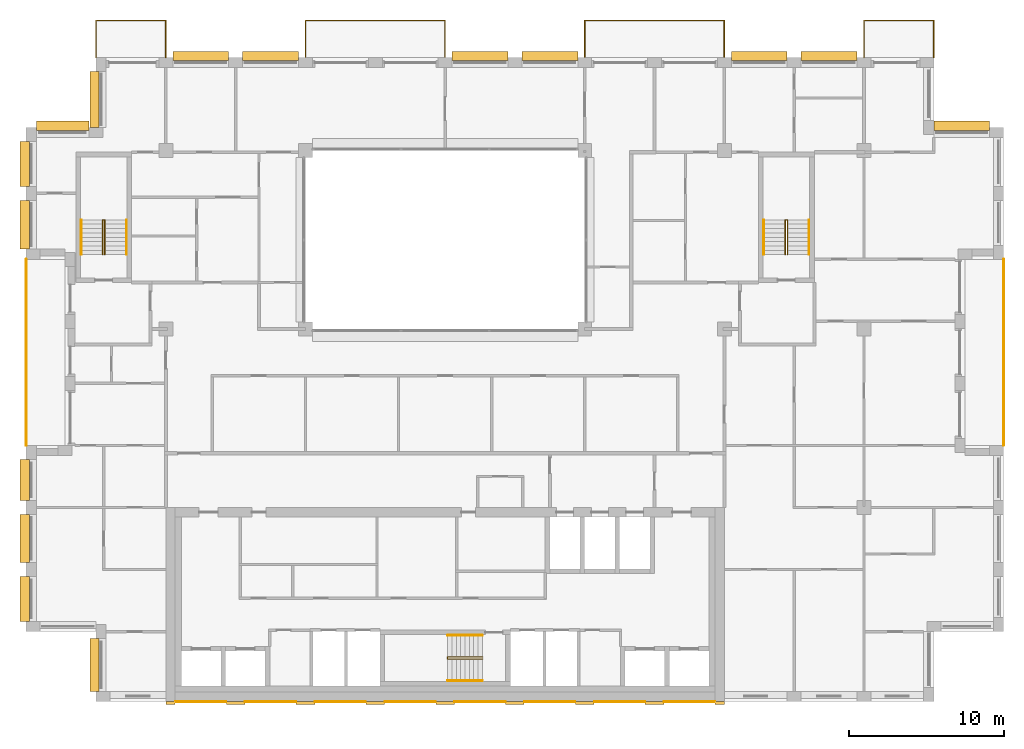
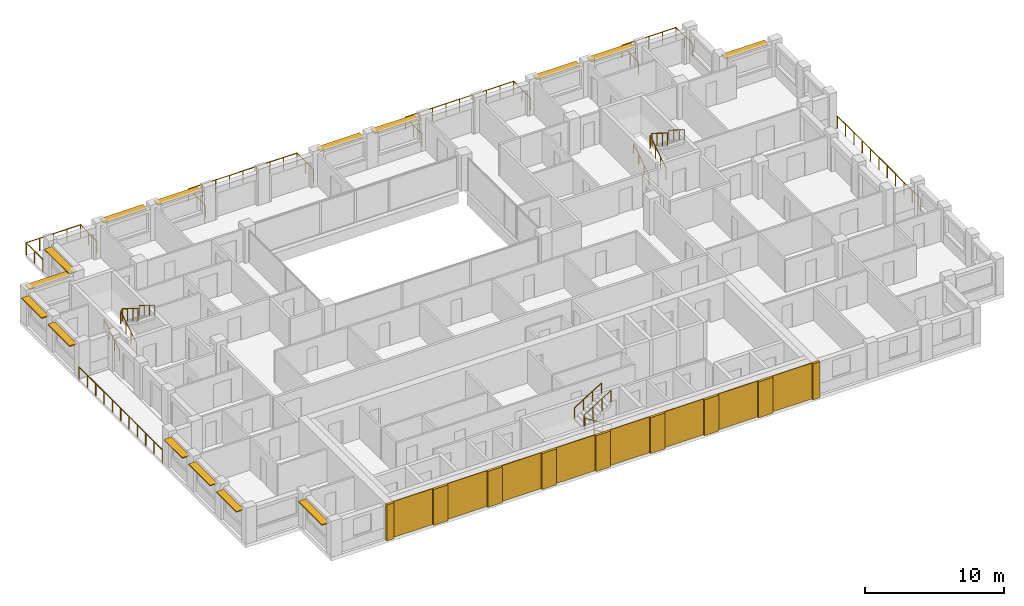
# One storey, part 16 of 16: 17 coverings, 15 railings, 15 shading devices.
"""IFC4 building model written with IfcOpenShell, lengths in metres."""

from ifc_helpers import new_model, si_unit, direction, frame, origin, origin_2d, place, context, subcontext, project, spatial, rectangle, circle, extrude, material, layer, layer_set, type_object, element, save


model = new_model("IFC4")

# Units and contexts
model_context = context("Model", 3, precision=1e-05, world=origin(), true_north=direction((0.0, 1.0)))
body_context = subcontext(model_context, "Body", "Model", "MODEL_VIEW")
ifc_project = project(units=[si_unit("LENGTHUNIT", "METRE"), si_unit("AREAUNIT", "SQUARE_METRE"), si_unit("VOLUMEUNIT", "CUBIC_METRE"), si_unit("PLANEANGLEUNIT", "RADIAN"), si_unit("MASSUNIT", "GRAM", prefix="KILO")], contexts=[model_context])

# Site, building, storey
site_placement = place(None, origin())
site = spatial("IfcSite", under=ifc_project, at=site_placement, CompositionType="ELEMENT")
building_placement = place(site_placement, origin())
building = spatial("IfcBuilding", under=site, at=building_placement, Name="Brigalow Station Residences", CompositionType="ELEMENT")
storey_placement = place(building_placement, frame((0.0, 0.0, 204.300048828125)))
storey = spatial("IfcBuildingStorey", under=building, at=storey_placement, Name="L58", CompositionType="ELEMENT", Elevation=204.300048828125)

# Railings
ifc_material_1 = material(Name="Stainless steel balustrade with laminated glass infill", Category="steel")
railing_type_1 = type_object("IfcRailingType", Name="BALCONY GUARD 1100", PredefinedType="GUARDRAIL", material=ifc_material_1)
railing_1_placement = place(storey_placement, frame((72.0, 16.5, -0.0400390625)))
element("IfcRailing", 1, at=railing_1_placement, inside=storey, type_object=railing_type_1, Name="L58/balcony-guard/1", PredefinedType="GUARDRAIL", context=body_context, shape_type="SweptSolid", body=[
    extrude(circle(Radius=0.02392578125, at=origin_2d()), frame((0.0, 0.0, 1.076171875), z_axis=(0.0, 1.0, 0.0), x_axis=(-1.0, 0.0, 0.0)), (0.0, 0.0, 1.0), 12.0),
    extrude(circle(Radius=0.02099609375, at=origin_2d()), origin(), (0.0, 0.0, 1.0), 1.052001953125),
    extrude(circle(Radius=0.02099609375, at=origin_2d()), frame((0.0, 1.199951171875, 0.0)), (0.0, 0.0, 1.0), 1.052001953125),
    extrude(circle(Radius=0.02099609375, at=origin_2d()), frame((0.0, 2.39990234375, 0.0)), (0.0, 0.0, 1.0), 1.052001953125),
    extrude(circle(Radius=0.02099609375, at=origin_2d()), frame((0.0, 3.60009765625, 0.0)), (0.0, 0.0, 1.0), 1.052001953125),
    extrude(circle(Radius=0.02099609375, at=origin_2d()), frame((0.0, 4.800048828125, 0.0)), (0.0, 0.0, 1.0), 1.052001953125),
    extrude(circle(Radius=0.02099609375, at=origin_2d()), frame((0.0, 6.0, 0.0)), (0.0, 0.0, 1.0), 1.052001953125),
    extrude(circle(Radius=0.02099609375, at=origin_2d()), frame((0.0, 7.199951171875, 0.0)), (0.0, 0.0, 1.0), 1.052001953125),
    extrude(circle(Radius=0.02099609375, at=origin_2d()), frame((0.0, 8.39990234375, 0.0)), (0.0, 0.0, 1.0), 1.052001953125),
    extrude(circle(Radius=0.02099609375, at=origin_2d()), frame((0.0, 9.60009765625, 0.0)), (0.0, 0.0, 1.0), 1.052001953125),
    extrude(circle(Radius=0.02099609375, at=origin_2d()), frame((0.0, 10.800048828125, 0.0)), (0.0, 0.0, 1.0), 1.052001953125),
    extrude(circle(Radius=0.02099609375, at=origin_2d()), frame((0.0, 12.0, 0.0)), (0.0, 0.0, 1.0), 1.052001953125),
])
railing_2_placement = place(storey_placement, frame((67.5, 41.5, -0.0400390625)))
element("IfcRailing", 2, at=railing_2_placement, inside=storey, type_object=railing_type_1, Name="L58/balcony-guard/2", PredefinedType="GUARDRAIL", context=body_context, shape_type="SweptSolid", body=[
    extrude(circle(Radius=0.02392578125, at=origin_2d()), frame((0.0, 0.0, 1.076171875), z_axis=(0.0, 1.0, 0.0), x_axis=(-1.0, 0.0, 0.0)), (0.0, 0.0, 1.0), 2.39990234375),
    extrude(circle(Radius=0.02392578125, at=origin_2d()), frame((0.0, 2.39990234375, 1.076171875), z_axis=(-1.0, 0.0, 0.0), x_axis=(0.0, -1.0, 0.0)), (0.0, 0.0, 1.0), 4.5),
    extrude(circle(Radius=0.02392578125, at=origin_2d()), frame((-4.5, 2.39990234375, 1.076171875), z_axis=(0.0, -1.0, 0.0), x_axis=(1.0, 0.0, 0.0)), (0.0, 0.0, 1.0), 2.39990234375),
    extrude(circle(Radius=0.02099609375, at=origin_2d()), origin(), (0.0, 0.0, 1.0), 1.052001953125),
    extrude(circle(Radius=0.02099609375, at=origin_2d()), frame((0.0, 1.199951171875, 0.0)), (0.0, 0.0, 1.0), 1.052001953125),
    extrude(circle(Radius=0.02099609375, at=origin_2d()), frame((0.0, 2.39990234375, 0.0)), (0.0, 0.0, 1.0), 1.052001953125),
    extrude(circle(Radius=0.02099609375, at=origin_2d()), frame((-1.125, 2.39990234375, 0.0)), (0.0, 0.0, 1.0), 1.052001953125),
    extrude(circle(Radius=0.02099609375, at=origin_2d()), frame((-2.25, 2.39990234375, 0.0)), (0.0, 0.0, 1.0), 1.052001953125),
    extrude(circle(Radius=0.02099609375, at=origin_2d()), frame((-3.375, 2.39990234375, 0.0)), (0.0, 0.0, 1.0), 1.052001953125),
    extrude(circle(Radius=0.02099609375, at=origin_2d()), frame((-4.5, 2.39990234375, 0.0)), (0.0, 0.0, 1.0), 1.052001953125),
    extrude(circle(Radius=0.02099609375, at=origin_2d()), frame((-4.5, 1.199951171875, 0.0)), (0.0, 0.0, 1.0), 1.052001953125),
    extrude(circle(Radius=0.02099609375, at=origin_2d()), frame((-4.5, 0.0, 0.0)), (0.0, 0.0, 1.0), 1.052001953125),
])
railing_3_placement = place(storey_placement, frame((54.0, 41.5, -0.0400390625)))
element("IfcRailing", 3, at=railing_3_placement, inside=storey, type_object=railing_type_1, Name="L58/balcony-guard/3", PredefinedType="GUARDRAIL", context=body_context, shape_type="SweptSolid", body=[
    extrude(circle(Radius=0.02392578125, at=origin_2d()), frame((0.0, 0.0, 1.076171875), z_axis=(0.0, 1.0, 0.0), x_axis=(-1.0, 0.0, 0.0)), (0.0, 0.0, 1.0), 2.39990234375),
    extrude(circle(Radius=0.02392578125, at=origin_2d()), frame((0.0, 2.39990234375, 1.076171875), z_axis=(-1.0, 0.0, 0.0), x_axis=(0.0, -1.0, 0.0)), (0.0, 0.0, 1.0), 9.0),
    extrude(circle(Radius=0.02392578125, at=origin_2d()), frame((-9.0, 2.39990234375, 1.076171875), z_axis=(0.0, -1.0, 0.0), x_axis=(1.0, 0.0, 0.0)), (0.0, 0.0, 1.0), 2.39990234375),
    extrude(circle(Radius=0.02099609375, at=origin_2d()), origin(), (0.0, 0.0, 1.0), 1.052001953125),
    extrude(circle(Radius=0.02099609375, at=origin_2d()), frame((0.0, 1.199951171875, 0.0)), (0.0, 0.0, 1.0), 1.052001953125),
    extrude(circle(Radius=0.02099609375, at=origin_2d()), frame((0.0, 2.39990234375, 0.0)), (0.0, 0.0, 1.0), 1.052001953125),
    extrude(circle(Radius=0.02099609375, at=origin_2d()), frame((-1.125, 2.39990234375, 0.0)), (0.0, 0.0, 1.0), 1.052001953125),
    extrude(circle(Radius=0.02099609375, at=origin_2d()), frame((-2.25, 2.39990234375, 0.0)), (0.0, 0.0, 1.0), 1.052001953125),
    extrude(circle(Radius=0.02099609375, at=origin_2d()), frame((-3.375, 2.39990234375, 0.0)), (0.0, 0.0, 1.0), 1.052001953125),
    extrude(circle(Radius=0.02099609375, at=origin_2d()), frame((-4.5, 2.39990234375, 0.0)), (0.0, 0.0, 1.0), 1.052001953125),
    extrude(circle(Radius=0.02099609375, at=origin_2d()), frame((-5.625, 2.39990234375, 0.0)), (0.0, 0.0, 1.0), 1.052001953125),
    extrude(circle(Radius=0.02099609375, at=origin_2d()), frame((-6.75, 2.39990234375, 0.0)), (0.0, 0.0, 1.0), 1.052001953125),
    extrude(circle(Radius=0.02099609375, at=origin_2d()), frame((-7.875, 2.39990234375, 0.0)), (0.0, 0.0, 1.0), 1.052001953125),
    extrude(circle(Radius=0.02099609375, at=origin_2d()), frame((-9.0, 2.39990234375, 0.0)), (0.0, 0.0, 1.0), 1.052001953125),
    extrude(circle(Radius=0.02099609375, at=origin_2d()), frame((-9.0, 1.199951171875, 0.0)), (0.0, 0.0, 1.0), 1.052001953125),
    extrude(circle(Radius=0.02099609375, at=origin_2d()), frame((-9.0, 0.0, 0.0)), (0.0, 0.0, 1.0), 1.052001953125),
])
railing_4_placement = place(storey_placement, frame((36.0, 41.5, -0.0400390625)))
element("IfcRailing", 4, at=railing_4_placement, inside=storey, type_object=railing_type_1, Name="L58/balcony-guard/4", PredefinedType="GUARDRAIL", context=body_context, shape_type="SweptSolid", body=[
    extrude(circle(Radius=0.02392578125, at=origin_2d()), frame((0.0, 0.0, 1.076171875), z_axis=(0.0, 1.0, 0.0), x_axis=(-1.0, 0.0, 0.0)), (0.0, 0.0, 1.0), 2.39990234375),
    extrude(circle(Radius=0.02392578125, at=origin_2d()), frame((0.0, 2.39990234375, 1.076171875), z_axis=(-1.0, 0.0, 0.0), x_axis=(0.0, -1.0, 0.0)), (0.0, 0.0, 1.0), 9.0),
    extrude(circle(Radius=0.02392578125, at=origin_2d()), frame((-9.0, 2.39990234375, 1.076171875), z_axis=(0.0, -1.0, 0.0), x_axis=(1.0, 0.0, 0.0)), (0.0, 0.0, 1.0), 2.39990234375),
    extrude(circle(Radius=0.02099609375, at=origin_2d()), origin(), (0.0, 0.0, 1.0), 1.052001953125),
    extrude(circle(Radius=0.02099609375, at=origin_2d()), frame((0.0, 1.199951171875, 0.0)), (0.0, 0.0, 1.0), 1.052001953125),
    extrude(circle(Radius=0.02099609375, at=origin_2d()), frame((0.0, 2.39990234375, 0.0)), (0.0, 0.0, 1.0), 1.052001953125),
    extrude(circle(Radius=0.02099609375, at=origin_2d()), frame((-1.125, 2.39990234375, 0.0)), (0.0, 0.0, 1.0), 1.052001953125),
    extrude(circle(Radius=0.02099609375, at=origin_2d()), frame((-2.25, 2.39990234375, 0.0)), (0.0, 0.0, 1.0), 1.052001953125),
    extrude(circle(Radius=0.02099609375, at=origin_2d()), frame((-3.375, 2.39990234375, 0.0)), (0.0, 0.0, 1.0), 1.052001953125),
    extrude(circle(Radius=0.02099609375, at=origin_2d()), frame((-4.5, 2.39990234375, 0.0)), (0.0, 0.0, 1.0), 1.052001953125),
    extrude(circle(Radius=0.02099609375, at=origin_2d()), frame((-5.625, 2.39990234375, 0.0)), (0.0, 0.0, 1.0), 1.052001953125),
    extrude(circle(Radius=0.02099609375, at=origin_2d()), frame((-6.75, 2.39990234375, 0.0)), (0.0, 0.0, 1.0), 1.052001953125),
    extrude(circle(Radius=0.02099609375, at=origin_2d()), frame((-7.875, 2.39990234375, 0.0)), (0.0, 0.0, 1.0), 1.052001953125),
    extrude(circle(Radius=0.02099609375, at=origin_2d()), frame((-9.0, 2.39990234375, 0.0)), (0.0, 0.0, 1.0), 1.052001953125),
    extrude(circle(Radius=0.02099609375, at=origin_2d()), frame((-9.0, 1.199951171875, 0.0)), (0.0, 0.0, 1.0), 1.052001953125),
    extrude(circle(Radius=0.02099609375, at=origin_2d()), frame((-9.0, 0.0, 0.0)), (0.0, 0.0, 1.0), 1.052001953125),
])
railing_5_placement = place(storey_placement, frame((18.0, 41.5, -0.0400390625)))
element("IfcRailing", 5, at=railing_5_placement, inside=storey, type_object=railing_type_1, Name="L58/balcony-guard/5", PredefinedType="GUARDRAIL", context=body_context, shape_type="SweptSolid", body=[
    extrude(circle(Radius=0.02392578125, at=origin_2d()), frame((0.0, 0.0, 1.076171875), z_axis=(0.0, 1.0, 0.0), x_axis=(-1.0, 0.0, 0.0)), (0.0, 0.0, 1.0), 2.39990234375),
    extrude(circle(Radius=0.02392578125, at=origin_2d()), frame((0.0, 2.39990234375, 1.076171875), z_axis=(-1.0, 0.0, 0.0), x_axis=(0.0, -1.0, 0.0)), (0.0, 0.0, 1.0), 4.5),
    extrude(circle(Radius=0.02392578125, at=origin_2d()), frame((-4.5, 2.39990234375, 1.076171875), z_axis=(0.0, -1.0, 0.0), x_axis=(1.0, 0.0, 0.0)), (0.0, 0.0, 1.0), 2.39990234375),
    extrude(circle(Radius=0.02099609375, at=origin_2d()), origin(), (0.0, 0.0, 1.0), 1.052001953125),
    extrude(circle(Radius=0.02099609375, at=origin_2d()), frame((0.0, 1.199951171875, 0.0)), (0.0, 0.0, 1.0), 1.052001953125),
    extrude(circle(Radius=0.02099609375, at=origin_2d()), frame((0.0, 2.39990234375, 0.0)), (0.0, 0.0, 1.0), 1.052001953125),
    extrude(circle(Radius=0.02099609375, at=origin_2d()), frame((-1.125, 2.39990234375, 0.0)), (0.0, 0.0, 1.0), 1.052001953125),
    extrude(circle(Radius=0.02099609375, at=origin_2d()), frame((-2.25, 2.39990234375, 0.0)), (0.0, 0.0, 1.0), 1.052001953125),
    extrude(circle(Radius=0.02099609375, at=origin_2d()), frame((-3.375, 2.39990234375, 0.0)), (0.0, 0.0, 1.0), 1.052001953125),
    extrude(circle(Radius=0.02099609375, at=origin_2d()), frame((-4.5, 2.39990234375, 0.0)), (0.0, 0.0, 1.0), 1.052001953125),
    extrude(circle(Radius=0.02099609375, at=origin_2d()), frame((-4.5, 1.199951171875, 0.0)), (0.0, 0.0, 1.0), 1.052001953125),
    extrude(circle(Radius=0.02099609375, at=origin_2d()), frame((-4.5, 0.0, 0.0)), (0.0, 0.0, 1.0), 1.052001953125),
])
railing_6_placement = place(storey_placement, frame((9.0, 28.5, -0.0400390625)))
element("IfcRailing", 6, at=railing_6_placement, inside=storey, type_object=railing_type_1, Name="L58/balcony-guard/6", PredefinedType="GUARDRAIL", context=body_context, shape_type="SweptSolid", body=[
    extrude(circle(Radius=0.02392578125, at=origin_2d()), frame((0.0, 0.0, 1.076171875), z_axis=(0.0, -1.0, 0.0), x_axis=(1.0, 0.0, 0.0)), (0.0, 0.0, 1.0), 12.0),
    extrude(circle(Radius=0.02099609375, at=origin_2d()), origin(), (0.0, 0.0, 1.0), 1.052001953125),
    extrude(circle(Radius=0.02099609375, at=origin_2d()), frame((0.0, -1.199951171875, 0.0)), (0.0, 0.0, 1.0), 1.052001953125),
    extrude(circle(Radius=0.02099609375, at=origin_2d()), frame((0.0, -2.39990234375, 0.0)), (0.0, 0.0, 1.0), 1.052001953125),
    extrude(circle(Radius=0.02099609375, at=origin_2d()), frame((0.0, -3.60009765625, 0.0)), (0.0, 0.0, 1.0), 1.052001953125),
    extrude(circle(Radius=0.02099609375, at=origin_2d()), frame((0.0, -4.800048828125, 0.0)), (0.0, 0.0, 1.0), 1.052001953125),
    extrude(circle(Radius=0.02099609375, at=origin_2d()), frame((0.0, -6.0, 0.0)), (0.0, 0.0, 1.0), 1.052001953125),
    extrude(circle(Radius=0.02099609375, at=origin_2d()), frame((0.0, -7.199951171875, 0.0)), (0.0, 0.0, 1.0), 1.052001953125),
    extrude(circle(Radius=0.02099609375, at=origin_2d()), frame((0.0, -8.39990234375, 0.0)), (0.0, 0.0, 1.0), 1.052001953125),
    extrude(circle(Radius=0.02099609375, at=origin_2d()), frame((0.0, -9.60009765625, 0.0)), (0.0, 0.0, 1.0), 1.052001953125),
    extrude(circle(Radius=0.02099609375, at=origin_2d()), frame((0.0, -10.800048828125, 0.0)), (0.0, 0.0, 1.0), 1.052001953125),
    extrude(circle(Radius=0.02099609375, at=origin_2d()), frame((0.0, -12.0, 0.0)), (0.0, 0.0, 1.0), 1.052001953125),
])

# Coverings
ifc_material_2 = material(Name="Clay brick masonry", Category="masonry")
ifc_layer_1 = layer(ifc_material_2, 0.06005859375)
ifc_layer_set_1 = layer_set([ifc_layer_1], Name="BRICK PANEL FACING 60")
covering_type_1 = type_object("IfcCoveringType", Name="BRICK PANEL FACING 60", PredefinedType="CLADDING", material=ifc_layer_set_1)
for number, where, z_axis, x_axis, name in (
    (7, (20.25, -0.030029296875, 0.0), (0.0, 0.0, 1.0), (1.0, 0.0, 0.0), "L58/rear-facing/panel-1"),
    (8, (24.75, -0.030029296875, 0.0), (0.0, 0.0, 1.0), (1.0, 0.0, 0.0), "L58/rear-facing/panel-2"),
    (9, (29.25, -0.030029296875, 0.0), (0.0, 0.0, 1.0), (1.0, 0.0, 0.0), "L58/rear-facing/panel-3"),
    (10, (33.75, -0.030029296875, 0.0), (0.0, 0.0, 1.0), (1.0, 0.0, 0.0), "L58/rear-facing/panel-4"),
    (11, (38.25, -0.030029296875, 0.0), (0.0, 0.0, 1.0), (1.0, 0.0, 0.0), "L58/rear-facing/panel-5"),
    (12, (42.75, -0.030029296875, 0.0), (0.0, 0.0, 1.0), (1.0, 0.0, 0.0), "L58/rear-facing/panel-6"),
    (13, (47.25, -0.030029296875, 0.0), (0.0, 0.0, 1.0), (1.0, 0.0, 0.0), "L58/rear-facing/panel-7"),
    (14, (51.75, -0.030029296875, 0.0), (0.0, 0.0, 1.0), (1.0, 0.0, 0.0), "L58/rear-facing/panel-8"),
):
    element("IfcCovering", number, at=place(storey_placement, frame(where, z_axis=z_axis, x_axis=x_axis)), inside=storey, type_object=covering_type_1, Name=name, PredefinedType="CLADDING", context=body_context, shape_type="SweptSolid", body=[
        extrude(rectangle(XDim=3.300048828125, YDim=0.06005859375, at=origin_2d()), origin(), (0.0, 0.0, 1.0), 3.14990234375),
    ])
ifc_material_3 = material(Name="Clay brick masonry", Category="masonry")
ifc_layer_2 = layer(ifc_material_3, 0.199951171875)
ifc_layer_set_2 = layer_set([ifc_layer_2], Name="BRICK PIER FACING 200")
covering_type_2 = type_object("IfcCoveringType", Name="BRICK PIER FACING 200", PredefinedType="CLADDING", material=ifc_layer_set_2)
covering_1_placement = place(storey_placement, frame((18.300048828125, -0.10009765625, 0.0), z_axis=(0.0, 0.0, 1.0), x_axis=(1.0, 0.0, 0.0)))
element("IfcCovering", 15, at=covering_1_placement, inside=storey, type_object=covering_type_2, Name="L58/rear-facing/pier-1", PredefinedType="CLADDING", context=body_context, shape_type="SweptSolid", body=[
    extrude(rectangle(XDim=0.60009765625, YDim=0.199951171875, at=origin_2d()), origin(), (0.0, 0.0, 1.0), 3.14990234375),
])
for number, where, z_axis, x_axis, name in (
    (16, (22.5, -0.10009765625, 0.0), (0.0, 0.0, 1.0), (1.0, 0.0, 0.0), "L58/rear-facing/pier-2"),
    (17, (27.0, -0.10009765625, 0.0), (0.0, 0.0, 1.0), (1.0, 0.0, 0.0), "L58/rear-facing/pier-3"),
    (18, (31.5, -0.10009765625, 0.0), (0.0, 0.0, 1.0), (1.0, 0.0, 0.0), "L58/rear-facing/pier-4"),
    (19, (36.0, -0.10009765625, 0.0), (0.0, 0.0, 1.0), (1.0, 0.0, 0.0), "L58/rear-facing/pier-5"),
    (20, (40.5, -0.10009765625, 0.0), (0.0, 0.0, 1.0), (1.0, 0.0, 0.0), "L58/rear-facing/pier-6"),
    (21, (45.0, -0.10009765625, 0.0), (0.0, 0.0, 1.0), (1.0, 0.0, 0.0), "L58/rear-facing/pier-7"),
    (22, (49.5, -0.10009765625, 0.0), (0.0, 0.0, 1.0), (1.0, 0.0, 0.0), "L58/rear-facing/pier-8"),
):
    element("IfcCovering", number, at=place(storey_placement, frame(where, z_axis=z_axis, x_axis=x_axis)), inside=storey, type_object=covering_type_2, Name=name, PredefinedType="CLADDING", context=body_context, shape_type="SweptSolid", body=[
        extrude(rectangle(XDim=1.199951171875, YDim=0.199951171875, at=origin_2d()), origin(), (0.0, 0.0, 1.0), 3.14990234375),
    ])
covering_2_placement = place(storey_placement, frame((53.699951171875, -0.10009765625, 0.0), z_axis=(0.0, 0.0, 1.0), x_axis=(1.0, 0.0, 0.0)))
element("IfcCovering", 23, at=covering_2_placement, inside=storey, type_object=covering_type_2, Name="L58/rear-facing/pier-9", PredefinedType="CLADDING", context=body_context, shape_type="SweptSolid", body=[
    extrude(rectangle(XDim=0.60009765625, YDim=0.199951171875, at=origin_2d()), origin(), (0.0, 0.0, 1.0), 3.14990234375),
])

# Railings
ifc_material_4 = material(Name="Stainless steel balustrade", Category="steel")
railing_type_2 = type_object("IfcRailingType", Name="STAIR GUARD 1100", PredefinedType="GUARDRAIL", material=ifc_material_4)
railing_7_placement = place(storey_placement, frame((38.39990234375, 2.72998046875, 0.175048828125)))
element("IfcRailing", 24, at=railing_7_placement, inside=storey, type_object=railing_type_2, Name="GUARD GR-2", PredefinedType="GUARDRAIL", context=body_context, shape_type="SweptSolid", body=[
    extrude(circle(Radius=0.02392578125, at=origin_2d()), frame((0.0, 0.0, 1.076171875), z_axis=(-0.848013881152, 0.0, 0.529974015752), x_axis=(0.0, -1.0, 0.0)), (0.0, 0.0, 1.0), 2.641357421875),
    extrude(circle(Radius=0.02392578125, at=origin_2d()), frame((-2.239990234375, 0.0, 2.47607421875), z_axis=(0.0, 0.624960567888, 0.780656319122), x_axis=(-1.0, 0.0, 0.0)), (0.0, 0.0, 1.0), 0.22412109375),
    extrude(circle(Radius=0.02392578125, at=origin_2d()), frame((-2.239990234375, 0.14013671875, 2.65087890625), z_axis=(0.848013881152, 0.0, 0.529974015752), x_axis=(0.0, 1.0, 0.0)), (0.0, 0.0, 1.0), 2.641357421875),
    extrude(circle(Radius=0.02099609375, at=origin_2d()), origin(), (0.0, 0.0, 1.0), 1.052001953125),
    extrude(circle(Radius=0.02099609375, at=origin_2d()), frame((-0.74658203125, 0.0, 0.466552734375)), (0.0, 0.0, 1.0), 1.052001953125),
    extrude(circle(Radius=0.02099609375, at=origin_2d()), frame((-1.493408203125, 0.0, 0.933349609375)), (0.0, 0.0, 1.0), 1.052001953125),
    extrude(circle(Radius=0.02099609375, at=origin_2d()), frame((-2.239990234375, 0.0, 1.39990234375)), (0.0, 0.0, 1.0), 1.052001953125),
    extrude(circle(Radius=0.02099609375, at=origin_2d()), frame((-2.239990234375, 0.14013671875, 1.574951171875)), (0.0, 0.0, 1.0), 1.052001953125),
    extrude(circle(Radius=0.02099609375, at=origin_2d()), frame((-1.493408203125, 0.14013671875, 2.04150390625)), (0.0, 0.0, 1.0), 1.052001953125),
    extrude(circle(Radius=0.02099609375, at=origin_2d()), frame((-0.74658203125, 0.14013671875, 2.50830078125)), (0.0, 0.0, 1.0), 1.052001953125),
    extrude(circle(Radius=0.02099609375, at=origin_2d()), frame((0.0, 0.14013671875, 2.974853515625)), (0.0, 0.0, 1.0), 1.052001953125),
])
for number, where, name in (
    (25, (13.929931640625, 28.800048828125, 0.175048828125), "GUARD GR-1"),
    (26, (57.929931640625, 28.800048828125, 0.175048828125), "GUARD GR-3"),
):
    element("IfcRailing", number, at=place(storey_placement, frame(where)), inside=storey, type_object=railing_type_2, Name=name, PredefinedType="GUARDRAIL", context=body_context, shape_type="SweptSolid", body=[
        extrude(circle(Radius=0.02392578125, at=origin_2d()), frame((0.0, 0.0, 1.076171875), z_axis=(0.0, 0.848013881152, 0.529974015752), x_axis=(-1.0, 0.0, 0.0)), (0.0, 0.0, 1.0), 2.641357421875),
        extrude(circle(Radius=0.02392578125, at=origin_2d()), frame((0.0, 2.239990234375, 2.47607421875), z_axis=(0.624960567888, 0.0, 0.780656319122), x_axis=(0.0, 1.0, 0.0)), (0.0, 0.0, 1.0), 0.22412109375),
        extrude(circle(Radius=0.02392578125, at=origin_2d()), frame((0.14013671875, 2.239990234375, 2.65087890625), z_axis=(0.0, -0.848013881152, 0.529974015752), x_axis=(1.0, 0.0, 0.0)), (0.0, 0.0, 1.0), 2.641357421875),
        extrude(circle(Radius=0.02099609375, at=origin_2d()), origin(), (0.0, 0.0, 1.0), 1.052001953125),
        extrude(circle(Radius=0.02099609375, at=origin_2d()), frame((0.0, 0.74658203125, 0.466552734375)), (0.0, 0.0, 1.0), 1.052001953125),
        extrude(circle(Radius=0.02099609375, at=origin_2d()), frame((0.0, 1.493408203125, 0.933349609375)), (0.0, 0.0, 1.0), 1.052001953125),
        extrude(circle(Radius=0.02099609375, at=origin_2d()), frame((0.0, 2.239990234375, 1.39990234375)), (0.0, 0.0, 1.0), 1.052001953125),
        extrude(circle(Radius=0.02099609375, at=origin_2d()), frame((0.14013671875, 2.239990234375, 1.574951171875)), (0.0, 0.0, 1.0), 1.052001953125),
        extrude(circle(Radius=0.02099609375, at=origin_2d()), frame((0.14013671875, 1.493408203125, 2.04150390625)), (0.0, 0.0, 1.0), 1.052001953125),
        extrude(circle(Radius=0.02099609375, at=origin_2d()), frame((0.14013671875, 0.74658203125, 2.50830078125)), (0.0, 0.0, 1.0), 1.052001953125),
        extrude(circle(Radius=0.02099609375, at=origin_2d()), frame((0.14013671875, 0.0, 2.974853515625)), (0.0, 0.0, 1.0), 1.052001953125),
    ])
ifc_material_5 = material(Name="Stainless steel handrail", Category="steel")
railing_type_3 = type_object("IfcRailingType", Name="STAIR HANDRAIL 900", PredefinedType="HANDRAIL", material=ifc_material_5)
railing_8_placement = place(storey_placement, frame((38.39990234375, 1.340087890625, 0.175048828125)))
element("IfcRailing", 27, at=railing_8_placement, inside=storey, type_object=railing_type_3, Name="HANDRAIL HR-21", PredefinedType="HANDRAIL", context=body_context, shape_type="SweptSolid", body=[
    extrude(circle(Radius=0.02392578125, at=origin_2d()), frame((0.0, 0.0, 0.8759765625), z_axis=(-0.848013881152, 0.0, 0.529974015752), x_axis=(0.0, -1.0, 0.0)), (0.0, 0.0, 1.0), 2.641357421875),
    extrude(circle(Radius=0.02099609375, at=origin_2d()), origin(), (0.0, 0.0, 1.0), 0.851806640625),
    extrude(circle(Radius=0.02099609375, at=origin_2d()), frame((-0.74658203125, 0.0, 0.466552734375)), (0.0, 0.0, 1.0), 0.851806640625),
    extrude(circle(Radius=0.02099609375, at=origin_2d()), frame((-1.493408203125, 0.0, 0.933349609375)), (0.0, 0.0, 1.0), 0.851806640625),
    extrude(circle(Radius=0.02099609375, at=origin_2d()), frame((-2.239990234375, 0.0, 1.39990234375)), (0.0, 0.0, 1.0), 0.851806640625),
])
railing_9_placement = place(storey_placement, frame((36.159912109375, 4.260009765625, 1.75)))
element("IfcRailing", 28, at=railing_9_placement, inside=storey, type_object=railing_type_3, Name="HANDRAIL HR-22", PredefinedType="HANDRAIL", context=body_context, shape_type="SweptSolid", body=[
    extrude(circle(Radius=0.02392578125, at=origin_2d()), frame((0.0, 0.0, 0.8759765625), z_axis=(0.848013881152, 0.0, 0.529974015752), x_axis=(0.0, 1.0, 0.0)), (0.0, 0.0, 1.0), 2.641357421875),
    extrude(circle(Radius=0.02099609375, at=origin_2d()), origin(), (0.0, 0.0, 1.0), 0.851806640625),
    extrude(circle(Radius=0.02099609375, at=origin_2d()), frame((0.74658203125, 0.0, 0.466552734375)), (0.0, 0.0, 1.0), 0.851806640625),
    extrude(circle(Radius=0.02099609375, at=origin_2d()), frame((1.493408203125, 0.0, 0.933349609375)), (0.0, 0.0, 1.0), 0.851806640625),
    extrude(circle(Radius=0.02099609375, at=origin_2d()), frame((2.239990234375, 0.0, 1.39990234375)), (0.0, 0.0, 1.0), 0.851806640625),
])
railing_10_placement = place(storey_placement, frame((12.5400390625, 28.800048828125, 0.175048828125)))
element("IfcRailing", 29, at=railing_10_placement, inside=storey, type_object=railing_type_3, Name="HANDRAIL HR-11", PredefinedType="HANDRAIL", context=body_context, shape_type="SweptSolid", body=[
    extrude(circle(Radius=0.02392578125, at=origin_2d()), frame((0.0, 0.0, 0.8759765625), z_axis=(0.0, 0.848013881152, 0.529974015752), x_axis=(-1.0, 0.0, 0.0)), (0.0, 0.0, 1.0), 2.641357421875),
    extrude(circle(Radius=0.02099609375, at=origin_2d()), origin(), (0.0, 0.0, 1.0), 0.851806640625),
    extrude(circle(Radius=0.02099609375, at=origin_2d()), frame((0.0, 0.74658203125, 0.466552734375)), (0.0, 0.0, 1.0), 0.851806640625),
    extrude(circle(Radius=0.02099609375, at=origin_2d()), frame((0.0, 1.493408203125, 0.933349609375)), (0.0, 0.0, 1.0), 0.851806640625),
    extrude(circle(Radius=0.02099609375, at=origin_2d()), frame((0.0, 2.239990234375, 1.39990234375)), (0.0, 0.0, 1.0), 0.851806640625),
])
railing_11_placement = place(storey_placement, frame((15.4599609375, 31.0400390625, 1.75)))
element("IfcRailing", 30, at=railing_11_placement, inside=storey, type_object=railing_type_3, Name="HANDRAIL HR-12", PredefinedType="HANDRAIL", context=body_context, shape_type="SweptSolid", body=[
    extrude(circle(Radius=0.02392578125, at=origin_2d()), frame((0.0, 0.0, 0.8759765625), z_axis=(0.0, -0.848013881152, 0.529974015752), x_axis=(1.0, 0.0, 0.0)), (0.0, 0.0, 1.0), 2.641357421875),
    extrude(circle(Radius=0.02099609375, at=origin_2d()), origin(), (0.0, 0.0, 1.0), 0.851806640625),
    extrude(circle(Radius=0.02099609375, at=origin_2d()), frame((0.0, -0.74658203125, 0.466552734375)), (0.0, 0.0, 1.0), 0.851806640625),
    extrude(circle(Radius=0.02099609375, at=origin_2d()), frame((0.0, -1.493408203125, 0.933349609375)), (0.0, 0.0, 1.0), 0.851806640625),
    extrude(circle(Radius=0.02099609375, at=origin_2d()), frame((0.0, -2.239990234375, 1.39990234375)), (0.0, 0.0, 1.0), 0.851806640625),
])
railing_12_placement = place(storey_placement, frame((56.5400390625, 28.800048828125, 0.175048828125)))
element("IfcRailing", 31, at=railing_12_placement, inside=storey, type_object=railing_type_3, Name="HANDRAIL HR-31", PredefinedType="HANDRAIL", context=body_context, shape_type="SweptSolid", body=[
    extrude(circle(Radius=0.02392578125, at=origin_2d()), frame((0.0, 0.0, 0.8759765625), z_axis=(0.0, 0.848013881152, 0.529974015752), x_axis=(-1.0, 0.0, 0.0)), (0.0, 0.0, 1.0), 2.641357421875),
    extrude(circle(Radius=0.02099609375, at=origin_2d()), origin(), (0.0, 0.0, 1.0), 0.851806640625),
    extrude(circle(Radius=0.02099609375, at=origin_2d()), frame((0.0, 0.74658203125, 0.466552734375)), (0.0, 0.0, 1.0), 0.851806640625),
    extrude(circle(Radius=0.02099609375, at=origin_2d()), frame((0.0, 1.493408203125, 0.933349609375)), (0.0, 0.0, 1.0), 0.851806640625),
    extrude(circle(Radius=0.02099609375, at=origin_2d()), frame((0.0, 2.239990234375, 1.39990234375)), (0.0, 0.0, 1.0), 0.851806640625),
])
railing_13_placement = place(storey_placement, frame((59.4599609375, 31.0400390625, 1.75)))
element("IfcRailing", 32, at=railing_13_placement, inside=storey, type_object=railing_type_3, Name="HANDRAIL HR-32", PredefinedType="HANDRAIL", context=body_context, shape_type="SweptSolid", body=[
    extrude(circle(Radius=0.02392578125, at=origin_2d()), frame((0.0, 0.0, 0.8759765625), z_axis=(0.0, -0.848013881152, 0.529974015752), x_axis=(1.0, 0.0, 0.0)), (0.0, 0.0, 1.0), 2.641357421875),
    extrude(circle(Radius=0.02099609375, at=origin_2d()), origin(), (0.0, 0.0, 1.0), 0.851806640625),
    extrude(circle(Radius=0.02099609375, at=origin_2d()), frame((0.0, -0.74658203125, 0.466552734375)), (0.0, 0.0, 1.0), 0.851806640625),
    extrude(circle(Radius=0.02099609375, at=origin_2d()), frame((0.0, -1.493408203125, 0.933349609375)), (0.0, 0.0, 1.0), 0.851806640625),
    extrude(circle(Radius=0.02099609375, at=origin_2d()), frame((0.0, -2.239990234375, 1.39990234375)), (0.0, 0.0, 1.0), 0.851806640625),
])

# Shading devices
ifc_material_6 = material(Name="Powder-coated extruded aluminium blade", Category="aluminium")
ifc_layer_3 = layer(ifc_material_6, 0.080078125)
ifc_layer_set_3 = layer_set([ifc_layer_3], Name="SUNSHADE BLADE 600x80")
shading_device_type = type_object("IfcShadingDeviceType", Name="SUNSHADE BLADE 600x80", PredefinedType="JALOUSIE", material=ifc_layer_set_3)
for number, where, z_axis, x_axis, name in (
    (33, (69.300048828125, 37.10009765625, 2.5498046875), (0.0, 0.0, 1.0), (-1.0, 0.0, 0.0), "L58/blade/W-L58-18"),
    (34, (60.75, 41.60009765625, 2.5498046875), (0.0, 0.0, 1.0), (-1.0, 0.0, 0.0), "L58/blade/W-L58-21"),
    (35, (56.25, 41.60009765625, 2.5498046875), (0.0, 0.0, 1.0), (-1.0, 0.0, 0.0), "L58/blade/W-L58-22"),
    (36, (42.75, 41.60009765625, 2.5498046875), (0.0, 0.0, 1.0), (-1.0, 0.0, 0.0), "L58/blade/W-L58-25"),
    (37, (38.25, 41.60009765625, 2.5498046875), (0.0, 0.0, 1.0), (-1.0, 0.0, 0.0), "L58/blade/W-L58-26"),
    (38, (24.75, 41.60009765625, 2.5498046875), (0.0, 0.0, 1.0), (-1.0, 0.0, 0.0), "L58/blade/W-L58-29"),
    (39, (20.25, 41.60009765625, 2.5498046875), (0.0, 0.0, 1.0), (-1.0, 0.0, 0.0), "L58/blade/W-L58-30"),
    (40, (13.39990234375, 38.800048828125, 2.5498046875), (0.0, 0.0, 1.0), (0.0, -1.0, 0.0), "L58/blade/W-L58-32"),
):
    element("IfcShadingDevice", number, at=place(storey_placement, frame(where, z_axis=z_axis, x_axis=x_axis)), inside=storey, type_object=shading_device_type, Name=name, PredefinedType="JALOUSIE", context=body_context, shape_type="SweptSolid", body=[
        extrude(rectangle(XDim=3.60009765625, YDim=0.60009765625, at=origin_2d()), origin(), (0.0, 0.0, 1.0), 0.080078125),
    ])
shading_device_1_placement = place(storey_placement, frame((11.35009765625, 37.10009765625, 2.5498046875), z_axis=(0.0, 0.0, 1.0), x_axis=(-1.0, 0.0, 0.0)))
element("IfcShadingDevice", 41, at=shading_device_1_placement, inside=storey, type_object=shading_device_type, Name="L58/blade/W-L58-33", PredefinedType="JALOUSIE", context=body_context, shape_type="SweptSolid", body=[
    extrude(rectangle(XDim=3.39990234375, YDim=0.60009765625, at=origin_2d()), origin(), (0.0, 0.0, 1.0), 0.080078125),
])
shading_device_2_placement = place(storey_placement, frame((8.89990234375, 34.64990234375, 2.5498046875), z_axis=(0.0, 0.0, 1.0), x_axis=(0.0, -1.0, 0.0)))
element("IfcShadingDevice", 42, at=shading_device_2_placement, inside=storey, type_object=shading_device_type, Name="L58/blade/W-L58-34", PredefinedType="JALOUSIE", context=body_context, shape_type="SweptSolid", body=[
    extrude(rectangle(XDim=2.89990234375, YDim=0.60009765625, at=origin_2d()), origin(), (0.0, 0.0, 1.0), 0.080078125),
])
shading_device_3_placement = place(storey_placement, frame((8.89990234375, 30.72509765625, 2.5498046875), z_axis=(0.0, 0.0, 1.0), x_axis=(0.0, -1.0, 0.0)))
element("IfcShadingDevice", 43, at=shading_device_3_placement, inside=storey, type_object=shading_device_type, Name="L58/blade/W-L58-35", PredefinedType="JALOUSIE", context=body_context, shape_type="SweptSolid", body=[
    extrude(rectangle(XDim=3.14990234375, YDim=0.60009765625, at=origin_2d()), origin(), (0.0, 0.0, 1.0), 0.080078125),
])
shading_device_4_placement = place(storey_placement, frame((8.89990234375, 14.27490234375, 2.5498046875), z_axis=(0.0, 0.0, 1.0), x_axis=(0.0, -1.0, 0.0)))
element("IfcShadingDevice", 44, at=shading_device_4_placement, inside=storey, type_object=shading_device_type, Name="L58/blade/W-L58-41", PredefinedType="JALOUSIE", context=body_context, shape_type="SweptSolid", body=[
    extrude(rectangle(XDim=2.64990234375, YDim=0.60009765625, at=origin_2d()), origin(), (0.0, 0.0, 1.0), 0.080078125),
])
shading_device_5_placement = place(storey_placement, frame((8.89990234375, 10.5, 2.5498046875), z_axis=(0.0, 0.0, 1.0), x_axis=(0.0, -1.0, 0.0)))
element("IfcShadingDevice", 45, at=shading_device_5_placement, inside=storey, type_object=shading_device_type, Name="L58/blade/W-L58-42", PredefinedType="JALOUSIE", context=body_context, shape_type="SweptSolid", body=[
    extrude(rectangle(XDim=3.10009765625, YDim=0.60009765625, at=origin_2d()), origin(), (0.0, 0.0, 1.0), 0.080078125),
])
shading_device_6_placement = place(storey_placement, frame((8.89990234375, 6.60009765625, 2.5498046875), z_axis=(0.0, 0.0, 1.0), x_axis=(0.0, -1.0, 0.0)))
element("IfcShadingDevice", 46, at=shading_device_6_placement, inside=storey, type_object=shading_device_type, Name="L58/blade/W-L58-43", PredefinedType="JALOUSIE", context=body_context, shape_type="SweptSolid", body=[
    extrude(rectangle(XDim=2.89990234375, YDim=0.60009765625, at=origin_2d()), origin(), (0.0, 0.0, 1.0), 0.080078125),
])
shading_device_7_placement = place(storey_placement, frame((13.39990234375, 2.35009765625, 2.5498046875), z_axis=(0.0, 0.0, 1.0), x_axis=(0.0, -1.0, 0.0)))
element("IfcShadingDevice", 47, at=shading_device_7_placement, inside=storey, type_object=shading_device_type, Name="L58/blade/W-L58-45", PredefinedType="JALOUSIE", context=body_context, shape_type="SweptSolid", body=[
    extrude(rectangle(XDim=3.39990234375, YDim=0.60009765625, at=origin_2d()), origin(), (0.0, 0.0, 1.0), 0.080078125),
])

save(model, "model.ifc")
